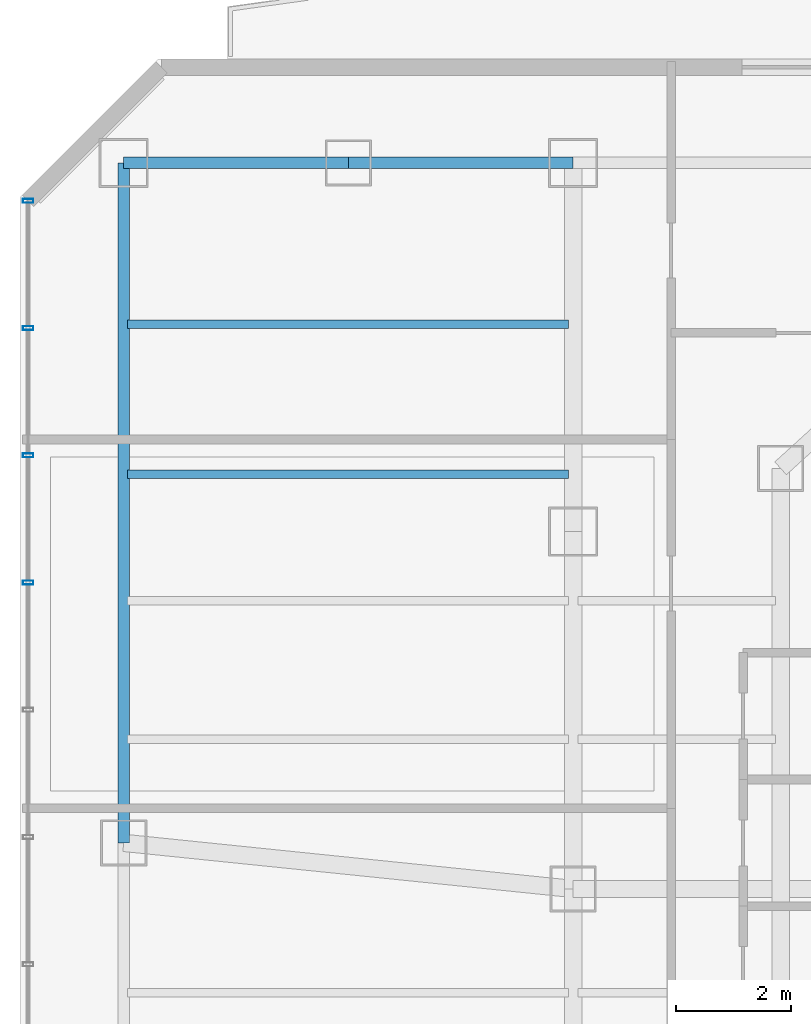
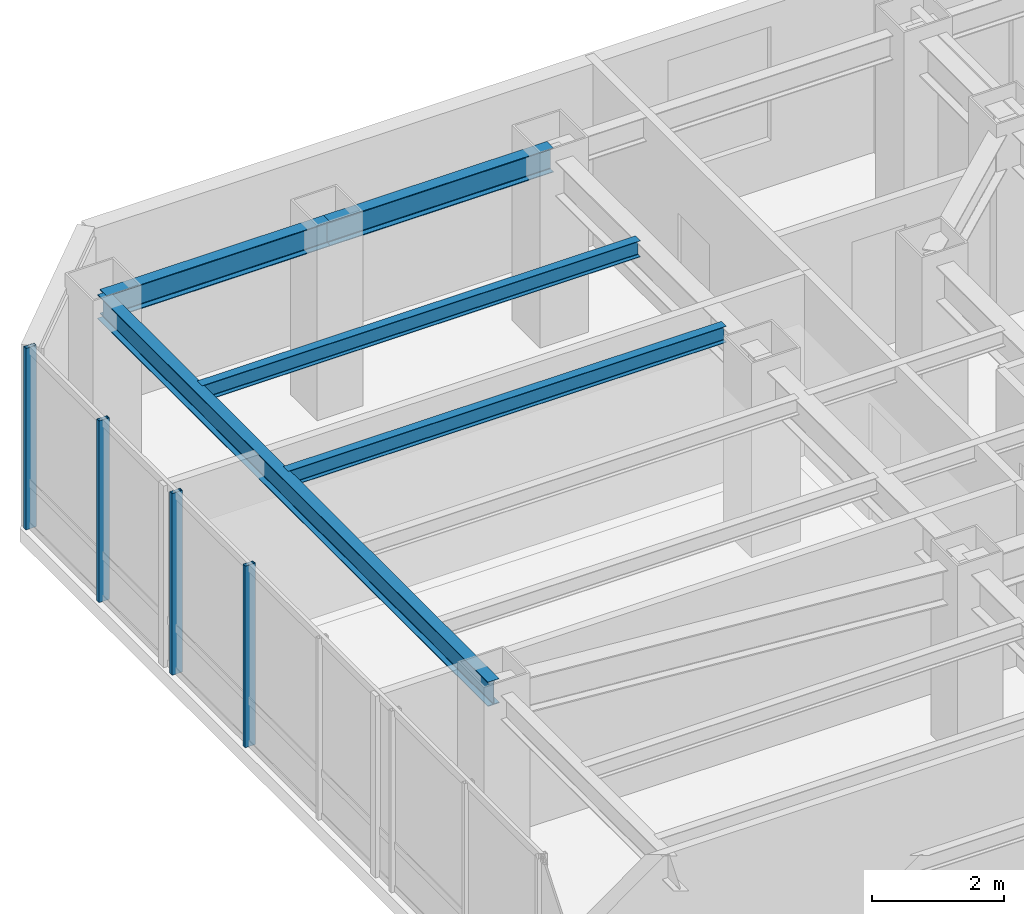
# One storey, part 17 of 27: 5 beams, 4 members, 1 element without a shape of its own.
"""IFC4 building model written with IfcOpenShell, lengths in metres."""

from ifc_helpers import new_model, si_unit, direction, frame, origin, origin_2d, place, context, subcontext, project, spatial, hollow_rectangle, i_section, extrude, material, layer, layer_set, material_profile, profile_set, type_object, element, aggregate, save


model = new_model("IFC4")

# Units and contexts
model_context = context("Model", 3, precision=1e-05, world=origin(), true_north=direction((0.0, 1.0)))
body_context = subcontext(model_context, "Body", "Model", "MODEL_VIEW")
ifc_project = project(units=[si_unit("LENGTHUNIT", "METRE"), si_unit("AREAUNIT", "SQUARE_METRE"), si_unit("VOLUMEUNIT", "CUBIC_METRE"), si_unit("PLANEANGLEUNIT", "RADIAN"), si_unit("MASSUNIT", "GRAM", prefix="KILO")], contexts=[model_context])

# Site, building, storey
site_placement = place(None, origin())
site = spatial("IfcSite", under=ifc_project, at=site_placement, CompositionType="ELEMENT")
building_placement = place(site_placement, origin())
building = spatial("IfcBuilding", under=site, at=building_placement, Name="Hatsunagi Terrace Concourse", CompositionType="ELEMENT")
storey_placement = place(building_placement, frame((0.0, 0.0, 145.64990234375)))
storey = spatial("IfcBuildingStorey", under=building, at=storey_placement, Name="L38", CompositionType="ELEMENT", Elevation=145.64990234375)

# Curtain wall, members
ifc_material_1 = material(Name="Anodised Aluminium Alloy 6063-T5", Category="aluminium")
ifc_layer = layer(ifc_material_1, 0.199951171875)
ifc_layer_set = layer_set([ifc_layer], Name="OfficeZone1_CW03")
curtain_wall_type = type_object("IfcCurtainWallType", Name="OfficeZone1_CW03", PredefinedType="NOTDEFINED", material=ifc_layer_set)
curtain_wall_placement = place(storey_placement, origin())
curtain_wall = element("IfcCurtainWall", 1, at=curtain_wall_placement, inside=storey, type_object=curtain_wall_type, Name="Unitised Curtain Wall CW-03 CW-L38-09", PredefinedType="NOTDEFINED")
ifc_material_2 = material(Name="Anodised Aluminium Alloy 6063-T5", Category="aluminium")
ifc_material_profile_1 = material_profile(ifc_material_2, hollow_rectangle(XDim=0.070068359375, YDim=0.179931640625, WallThickness=0.00390625, at=origin_2d()), Name="ALU-MUL-180x70x4")
ifc_profile_set_1 = profile_set([ifc_material_profile_1], Name="Anodised Aluminium Alloy 6063-T5")
member_type = type_object("IfcMemberType", Name="CurtainWallMullion_180x70", PredefinedType="MULLION", material=ifc_profile_set_1)
member_1_placement = place(storey_placement, frame((9.739990234375, 41.31689453125, 0.0), z_axis=(0.0, 0.0, 1.0), x_axis=(0.0, 1.0, 0.0)))
member_1 = element("IfcMember", 2, at=member_1_placement, type_object=member_type, Name="Curtain Wall Mullion MUL-02", PredefinedType="MULLION", context=body_context, shape_type="SweptSolid", body=[
    extrude(hollow_rectangle(XDim=0.070068359375, YDim=0.179931640625, WallThickness=0.00390625, at=origin_2d()), origin(), (0.0, 0.0, 1.0), 3.35009765625),
])
member_2_placement = place(storey_placement, frame((9.739990234375, 43.52490234375, 0.0), z_axis=(0.0, 0.0, 1.0), x_axis=(0.0, 1.0, 0.0)))
member_2 = element("IfcMember", 3, at=member_2_placement, type_object=member_type, Name="Curtain Wall Mullion MUL-02", PredefinedType="MULLION", context=body_context, shape_type="SweptSolid", body=[
    extrude(hollow_rectangle(XDim=0.070068359375, YDim=0.179931640625, WallThickness=0.00390625, at=origin_2d()), origin(), (0.0, 0.0, 1.0), 3.35009765625),
])
member_3_placement = place(storey_placement, frame((9.739990234375, 45.73388671875, 0.0), z_axis=(0.0, 0.0, 1.0), x_axis=(0.0, 1.0, 0.0)))
member_3 = element("IfcMember", 4, at=member_3_placement, type_object=member_type, Name="Curtain Wall Mullion MUL-02", PredefinedType="MULLION", context=body_context, shape_type="SweptSolid", body=[
    extrude(hollow_rectangle(XDim=0.070068359375, YDim=0.179931640625, WallThickness=0.00390625, at=origin_2d()), origin(), (0.0, 0.0, 1.0), 3.35009765625),
])
member_4_placement = place(storey_placement, frame((9.739990234375, 47.94189453125, 0.0), z_axis=(0.0, 0.0, 1.0), x_axis=(0.0, 1.0, 0.0)))
member_4 = element("IfcMember", 5, at=member_4_placement, type_object=member_type, Name="Curtain Wall Mullion MUL-02", PredefinedType="MULLION", context=body_context, shape_type="SweptSolid", body=[
    extrude(hollow_rectangle(XDim=0.070068359375, YDim=0.179931640625, WallThickness=0.00390625, at=origin_2d()), origin(), (0.0, 0.0, 1.0), 3.35009765625),
])
aggregate(curtain_wall, [member_1, member_2, member_3, member_4])

# Beams
ifc_material_3 = material(Name="Steel SN490B", Category="steel")
ifc_material_profile_2 = material_profile(ifc_material_3, i_section(OverallWidth=0.14990234375, OverallDepth=0.300048828125, WebThickness=0.006591796875, FlangeThickness=0.009033203125, FilletRadius=0.010986328125, at=origin_2d()), Name="H-300x150x6.5x9")
ifc_profile_set_2 = profile_set([ifc_material_profile_2], Name="Steel SN490B")
beam_type_1 = type_object("IfcBeamType", Name="OfficeJoist_H_300x150", PredefinedType="JOIST", material=ifc_profile_set_2)
for number, where, z_axis, x_axis, name in (
    (6, (11.465087890625, 43.199951171875, 3.2001953125), (1.0, 0.0, 0.0), (0.0, 1.0, 0.0), "Beam J-03 J-L38-W-11-432"),
    (7, (11.465087890625, 45.800048828125, 3.2001953125), (1.0, 0.0, 0.0), (0.0, 1.0, 0.0), "Beam J-03 J-L38-W-11-458"),
):
    element("IfcBeam", number, at=place(storey_placement, frame(where, z_axis=z_axis, x_axis=x_axis)), inside=storey, type_object=beam_type_1, Name=name, PredefinedType="JOIST", context=body_context, shape_type="SweptSolid", body=[
        extrude(i_section(OverallWidth=0.14990234375, OverallDepth=0.300048828125, WebThickness=0.006591796875, FlangeThickness=0.009033203125, FilletRadius=0.010986328125, at=origin_2d()), origin(), (0.0, 0.0, 1.0), 7.64990234375),
    ])
ifc_material_4 = material(Name="Steel SN490B", Category="steel")
ifc_material_profile_3 = material_profile(ifc_material_4, i_section(OverallWidth=0.199951171875, OverallDepth=0.449951171875, WebThickness=0.009033203125, FlangeThickness=0.013916015625, FilletRadius=0.01611328125, at=origin_2d()), Name="H-450x200x9x14")
ifc_profile_set_3 = profile_set([ifc_material_profile_3], Name="Steel SN490B")
beam_type_2 = type_object("IfcBeamType", Name="PerimeterSpandrel_H_450x200", PredefinedType="SPANDREL", material=ifc_profile_set_3)
beam_1_placement = place(storey_placement, frame((11.39990234375, 48.60009765625, 3.125), z_axis=(1.0, 0.0, 0.0), x_axis=(0.0, 1.0, 0.0)))
element("IfcBeam", 8, at=beam_1_placement, inside=storey, type_object=beam_type_2, Name="Beam SP-02 BM-L38-WN-11", PredefinedType="SPANDREL", context=body_context, shape_type="SweptSolid", body=[
    extrude(i_section(OverallWidth=0.199951171875, OverallDepth=0.449951171875, WebThickness=0.009033203125, FlangeThickness=0.013916015625, FilletRadius=0.01611328125, at=origin_2d()), origin(), (0.0, 0.0, 1.0), 3.900146484375),
])
beam_2_placement = place(storey_placement, frame((15.300048828125, 48.60009765625, 3.125), z_axis=(1.0, 0.0, 0.0), x_axis=(0.0, 1.0, 0.0)))
element("IfcBeam", 9, at=beam_2_placement, inside=storey, type_object=beam_type_2, Name="Beam SP-02 BM-L38-WN-15", PredefinedType="SPANDREL", context=body_context, shape_type="SweptSolid", body=[
    extrude(i_section(OverallWidth=0.199951171875, OverallDepth=0.449951171875, WebThickness=0.009033203125, FlangeThickness=0.013916015625, FilletRadius=0.01611328125, at=origin_2d()), origin(), (0.0, 0.0, 1.0), 3.89990234375),
])
beam_3_placement = place(storey_placement, frame((11.39990234375, 36.800048828125, 3.125), z_axis=(0.0, 1.0, 0.0), x_axis=(-1.0, 0.0, 0.0)))
element("IfcBeam", 10, at=beam_3_placement, inside=storey, type_object=beam_type_2, Name="Beam SP-02 BM-L38-NS-11-36", PredefinedType="SPANDREL", context=body_context, shape_type="SweptSolid", body=[
    extrude(i_section(OverallWidth=0.199951171875, OverallDepth=0.449951171875, WebThickness=0.009033203125, FlangeThickness=0.013916015625, FilletRadius=0.01611328125, at=origin_2d()), origin(), (0.0, 0.0, 1.0), 11.800048828125),
])

save(model, "model.ifc")
